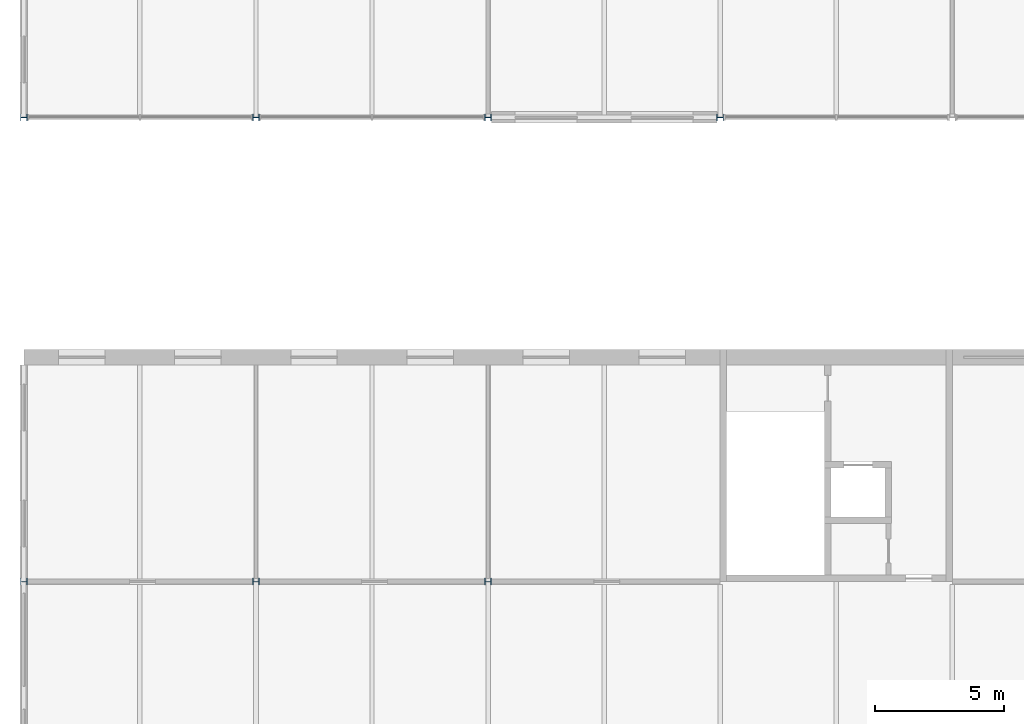
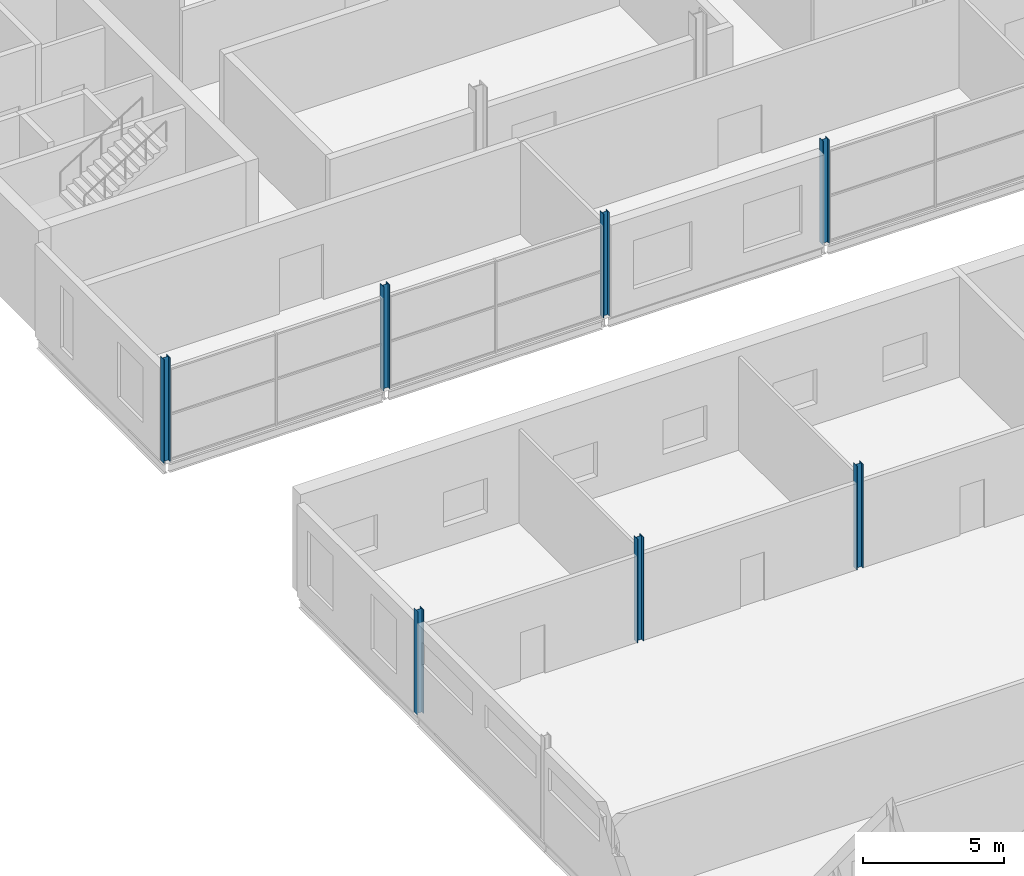
# One storey, part 12 of 138: 7 columns.
"""IFC4 building model written with IfcOpenShell, lengths in metres."""

import ifcopenshell
import ifcopenshell.guid

model = None  # the IFC model being written
_history = None  # IfcOwnerHistory: only IFC2X3 demands one
_inside = {}  # id of a spatial element -> (the spatial element, [elements in it])
_under = {}  # id of a project, library or spatial element -> (it, [spatial elements below it])
_declared = {}  # id of a project -> (the project, [libraries it declares])
_typed = {}  # id of a type object -> (the type object, [elements of that type])
_made_of = {}  # id of a material, layer set ... -> (it, [elements and type objects made of it])


def new_model(schema):
    """Start an empty IFC model of exactly this schema.

    Asked for "IFC4X3", IfcOpenShell would pick the latest addendum, in which some entities
    have other attributes; the version numbers below select the first issue.
    IFC2X3 requires an IfcOwnerHistory on every rooted entity: one is made here for all.
    """
    global model, _history
    if schema == "IFC4X3":
        model = ifcopenshell.file(schema_version=(4, 3, 0, 0))
    else:
        model = ifcopenshell.file(schema=schema)
    _inside.clear()
    _under.clear()
    _declared.clear()
    _typed.clear()
    _made_of.clear()
    _history = None
    if model.schema == "IFC2X3":
        org = make("IfcOrganization", Name="unknown")
        user = make(
            "IfcPersonAndOrganization",
            ThePerson=make("IfcPerson", FamilyName="unknown"),
            TheOrganization=org,
        )
        app = make(
            "IfcApplication",
            ApplicationDeveloper=org,
            Version="unknown",
            ApplicationFullName="unknown",
            ApplicationIdentifier="unknown",
        )
        _history = make(
            "IfcOwnerHistory",
            OwningUser=user,
            OwningApplication=app,
            ChangeAction="ADDED",
            CreationDate=0,
        )
    return model


def make(cls, **values):
    """One entity of the class cls with the attributes given. An attribute that is None is left unset."""
    return model.create_entity(
        cls, **{name: value for name, value in values.items() if value is not None}
    )


def rooted(cls, **values):
    """An entity with a GlobalId (a new one), such as an element, a storey or a relation."""
    return make(cls, GlobalId=ifcopenshell.guid.new(), OwnerHistory=_history, **values)


def si_unit(unit_type, name, prefix=None):
    """IfcSIUnit, for example si_unit("LENGTHUNIT", "METRE", prefix="MILLI")."""
    return make("IfcSIUnit", UnitType=unit_type, Prefix=prefix, Name=name)


def assignment(units):
    """IfcUnitAssignment: the units of a project."""
    return None if units is None else make("IfcUnitAssignment", Units=units)


def point(xyz):
    """IfcCartesianPoint."""
    return None if xyz is None else make("IfcCartesianPoint", Coordinates=xyz)


def direction(xyz):
    """IfcDirection."""
    return None if xyz is None else make("IfcDirection", DirectionRatios=xyz)


def frame(location, z_axis=None, x_axis=None):
    """IfcAxis2Placement3D, a coordinate frame: its origin and axes. An axis left out is left unset."""
    return make(
        "IfcAxis2Placement3D",
        Location=point(location),
        Axis=direction(z_axis),
        RefDirection=direction(x_axis),
    )


def frame_2d(location, x_axis=None):
    """IfcAxis2Placement2D, a coordinate frame in the plane: its origin and x axis."""
    return make(
        "IfcAxis2Placement2D", Location=point(location), RefDirection=direction(x_axis)
    )


def origin():
    """The frame at (0, 0, 0) with its axes left unset."""
    return frame((0.0, 0.0, 0.0))


def origin_2d():
    """The frame at (0, 0) in the plane with its x axis left unset."""
    return frame_2d((0.0, 0.0))


def place(relative_to, where):
    """IfcLocalPlacement: puts the frame where relative to a parent placement (None: the world)."""
    return make(
        "IfcLocalPlacement", PlacementRelTo=relative_to, RelativePlacement=where
    )


def context(
    kind, dimensions, precision=None, world=None, true_north=None, identifier=None
):
    """IfcGeometricRepresentationContext, for example the 3D "Model" context."""
    return make(
        "IfcGeometricRepresentationContext",
        ContextIdentifier=identifier,
        ContextType=kind,
        CoordinateSpaceDimension=dimensions,
        Precision=precision,
        WorldCoordinateSystem=world,
        TrueNorth=true_north,
    )


def subcontext(parent, identifier, kind, view, scale=None):
    """IfcGeometricRepresentationSubContext, for example "Body" below "Model"."""
    return make(
        "IfcGeometricRepresentationSubContext",
        ContextIdentifier=identifier,
        ContextType=kind,
        ParentContext=parent,
        TargetScale=scale,
        TargetView=view,
    )


def project(units=None, contexts=None):
    """IfcProject with its units and contexts."""
    return rooted(
        "IfcProject",
        Name="project",
        RepresentationContexts=contexts,
        UnitsInContext=assignment(units),
    )


def spatial(cls, under=None, at=None, **own):
    """A site, building, storey or space (cls), placed at a placement, below another one or the project."""
    s = rooted(cls, ObjectPlacement=at, **own)
    if under is not None:
        _under.setdefault(under.id(), (under, []))[1].append(s)
    return s


def profile(cls, at=None, kind="AREA", **sizes):
    """A parametric profile (cls). Its sizes go by their IFC names, for example OverallWidth=200.0."""
    return make(cls, ProfileType=kind, Position=at, **sizes)


def i_section(**sizes):
    """IfcIShapeProfileDef."""
    return profile("IfcIShapeProfileDef", **sizes)


def extrude(swept, where, along, depth):
    """IfcExtrudedAreaSolid: the profile swept, set in the frame where, extruded along a direction by depth."""
    return make(
        "IfcExtrudedAreaSolid",
        SweptArea=swept,
        Position=where,
        ExtrudedDirection=direction(along),
        Depth=depth,
    )


def shape(context_of_items, identifier, shape_type, items):
    """IfcShapeRepresentation: the items that make up one representation, for example the "Body"."""
    return make(
        "IfcShapeRepresentation",
        ContextOfItems=context_of_items,
        RepresentationIdentifier=identifier,
        RepresentationType=shape_type,
        Items=items,
    )


def material(Name=None, Category=None):
    """IfcMaterial."""
    return make("IfcMaterial", Name=Name, Category=Category)


def material_profile(
    of_material, cross_section, Name=None, Category=None, Priority=None
):
    """IfcMaterialProfile: a cross section and its material."""
    return make(
        "IfcMaterialProfile",
        Name=Name,
        Material=of_material,
        Profile=cross_section,
        Priority=Priority,
        Category=Category,
    )


def profile_set(profiles, Name=None, composite=None):
    """IfcMaterialProfileSet."""
    return make(
        "IfcMaterialProfileSet",
        Name=Name,
        MaterialProfiles=profiles,
        CompositeProfile=composite,
    )


def made_of(thing, what):
    """Note that an element or type object is made of a material, layer set ...; save() writes the relation."""
    if what is not None:
        _made_of.setdefault(what.id(), (what, []))[1].append(thing)
    return thing


def type_object(cls, material=None, **own):
    """A type object (cls), such as IfcWallType, which elements share."""
    return made_of(rooted(cls, **own), material)


def element(
    cls,
    number,
    at=None,
    inside=None,
    cuts=None,
    type_object=None,
    material=None,
    context=None,
    identifier="Body",
    shape_type=None,
    held_by="IfcProductDefinitionShape",
    body=None,
    shapes=None,
    **own,
):
    """One element of the class cls, such as IfcWall. Its Tag is "e" and its number.

    at: its placement. inside: the storey or other place that contains it. cuts: it is an
    opening in that element (IfcRelVoidsElement). A single representation is given by context,
    identifier, shape_type and body (its items); several are given by shapes. held_by: the class
    of the entity that holds the representations. save() writes the other relations.
    """
    e = rooted(cls, Tag="e%d" % number, ObjectPlacement=at, **own)
    if body is not None:
        shapes = [shape(context, identifier, shape_type, body)]
    if shapes is not None:
        e.Representation = make(held_by, Representations=shapes)
    if inside is not None:
        _inside.setdefault(inside.id(), (inside, []))[1].append(e)
    if cuts is not None:
        rooted(
            "IfcRelVoidsElement", RelatingBuildingElement=cuts, RelatedOpeningElement=e
        )
    if type_object is not None:
        _typed.setdefault(type_object.id(), (type_object, []))[1].append(e)
    return made_of(e, material)


def aggregate(whole, parts):
    """IfcRelAggregates: a whole, such as a stair, and the parts it consists of."""
    return rooted("IfcRelAggregates", RelatingObject=whole, RelatedObjects=parts)


def save(model, path):
    """Write the relations noted so far, then the file.

    IfcRelAggregates (storeys below a building ...), IfcRelContainedInSpatialStructure (elements
    in a storey), IfcRelDefinesByType, IfcRelAssociatesMaterial and IfcRelDeclares: one each for
    every whole, place, type object, material and project.
    """
    for whole, parts in _under.values():
        aggregate(whole, parts)
    for where, things in _inside.values():
        rooted(
            "IfcRelContainedInSpatialStructure",
            RelatedElements=things,
            RelatingStructure=where,
        )
    for kind, things in _typed.values():
        rooted("IfcRelDefinesByType", RelatedObjects=things, RelatingType=kind)
    for what, things in _made_of.values():
        rooted("IfcRelAssociatesMaterial", RelatedObjects=things, RelatingMaterial=what)
    for by, libraries in _declared.values():
        rooted("IfcRelDeclares", RelatingContext=by, RelatedDefinitions=libraries)
    model.write(path)


model = new_model("IFC4")

# Units and contexts
model_context = context("Model", 3, precision=1e-05, world=origin(), true_north=direction((0.0, 1.0)))
body_context = subcontext(model_context, "Body", "Model", "MODEL_VIEW")
ifc_project = project(units=[si_unit("LENGTHUNIT", "METRE"), si_unit("AREAUNIT", "SQUARE_METRE"), si_unit("VOLUMEUNIT", "CUBIC_METRE"), si_unit("PLANEANGLEUNIT", "RADIAN"), si_unit("MASSUNIT", "GRAM", prefix="KILO")], contexts=[model_context])

# Site, building, storey
site_placement = place(None, origin())
site = spatial("IfcSite", under=ifc_project, at=site_placement, CompositionType="ELEMENT")
building_placement = place(site_placement, origin())
building = spatial("IfcBuilding", under=site, at=building_placement, Name="Corbel Yard City Hall", CompositionType="ELEMENT")
storey_placement = place(building_placement, frame((0.0, 0.0, 10.5)))
storey = spatial("IfcBuildingStorey", under=building, at=storey_placement, Name="L02", CompositionType="ELEMENT", Elevation=10.5)

# Columns
ifc_material = material(Name="Steel Grade 300 (300 MPa yield)", Category="steel")
ifc_material_profile_1 = material_profile(ifc_material, i_section(OverallWidth=0.25390625, OverallDepth=0.25390625, WebThickness=0.008544921875, FlangeThickness=0.01416015625, at=origin_2d()), Name="250UC72.9")
ifc_profile_set_1 = profile_set([ifc_material_profile_1], Name="Steel Grade 300 (300 MPa yield)")
column_type_1 = type_object("IfcColumnType", Name="Column 250UC72.9", PredefinedType="COLUMN", material=ifc_profile_set_1)
for number, where, z_axis, x_axis, name in (
    (1, (0.0, 72.0, 0.0), (0.0, 0.0, 1.0), (0.0, 1.0, 0.0), "Column 250UC72.9 I/1 L02"),
    (2, (0.0, 90.0, 0.0), (0.0, 0.0, 1.0), (0.0, 1.0, 0.0), "Column 250UC72.9 K/1 L02"),
    (3, (9.0, 90.0, 0.0), (0.0, 0.0, 1.0), (0.0, 1.0, 0.0), "Column 250UC72.9 K/2 L02"),
    (4, (18.0, 90.0, 0.0), (0.0, 0.0, 1.0), (0.0, 1.0, 0.0), "Column 250UC72.9 K/3 L02"),
    (5, (27.0, 90.0, 0.0), (0.0, 0.0, 1.0), (0.0, 1.0, 0.0), "Column 250UC72.9 K/4 L02"),
):
    element("IfcColumn", number, at=place(storey_placement, frame(where, z_axis=z_axis, x_axis=x_axis)), inside=storey, type_object=column_type_1, Name=name, PredefinedType="COLUMN", context=body_context, shape_type="SweptSolid", body=[
        extrude(i_section(OverallWidth=0.25390625, OverallDepth=0.25390625, WebThickness=0.008544921875, FlangeThickness=0.01416015625, at=origin_2d()), origin(), (0.0, 0.0, 1.0), 4.5),
    ])
ifc_material_profile_2 = material_profile(ifc_material, i_section(OverallWidth=0.256103515625, OverallDepth=0.260009765625, WebThickness=0.010498046875, FlangeThickness=0.017333984375, at=origin_2d()), Name="250UC89.5")
ifc_profile_set_2 = profile_set([ifc_material_profile_2], Name="Steel Grade 300 (300 MPa yield)")
column_type_2 = type_object("IfcColumnType", Name="Column 250UC89.5", PredefinedType="COLUMN", material=ifc_profile_set_2)
for number, where, z_axis, x_axis, name in (
    (6, (9.0, 72.0, 0.0), (0.0, 0.0, 1.0), (0.0, 1.0, 0.0), "Column 250UC89.5 I/2 L02"),
    (7, (18.0, 72.0, 0.0), (0.0, 0.0, 1.0), (0.0, 1.0, 0.0), "Column 250UC89.5 I/3 L02"),
):
    element("IfcColumn", number, at=place(storey_placement, frame(where, z_axis=z_axis, x_axis=x_axis)), inside=storey, type_object=column_type_2, Name=name, PredefinedType="COLUMN", context=body_context, shape_type="SweptSolid", body=[
        extrude(i_section(OverallWidth=0.256103515625, OverallDepth=0.260009765625, WebThickness=0.010498046875, FlangeThickness=0.017333984375, at=origin_2d()), origin(), (0.0, 0.0, 1.0), 4.5),
    ])

save(model, "model.ifc")
